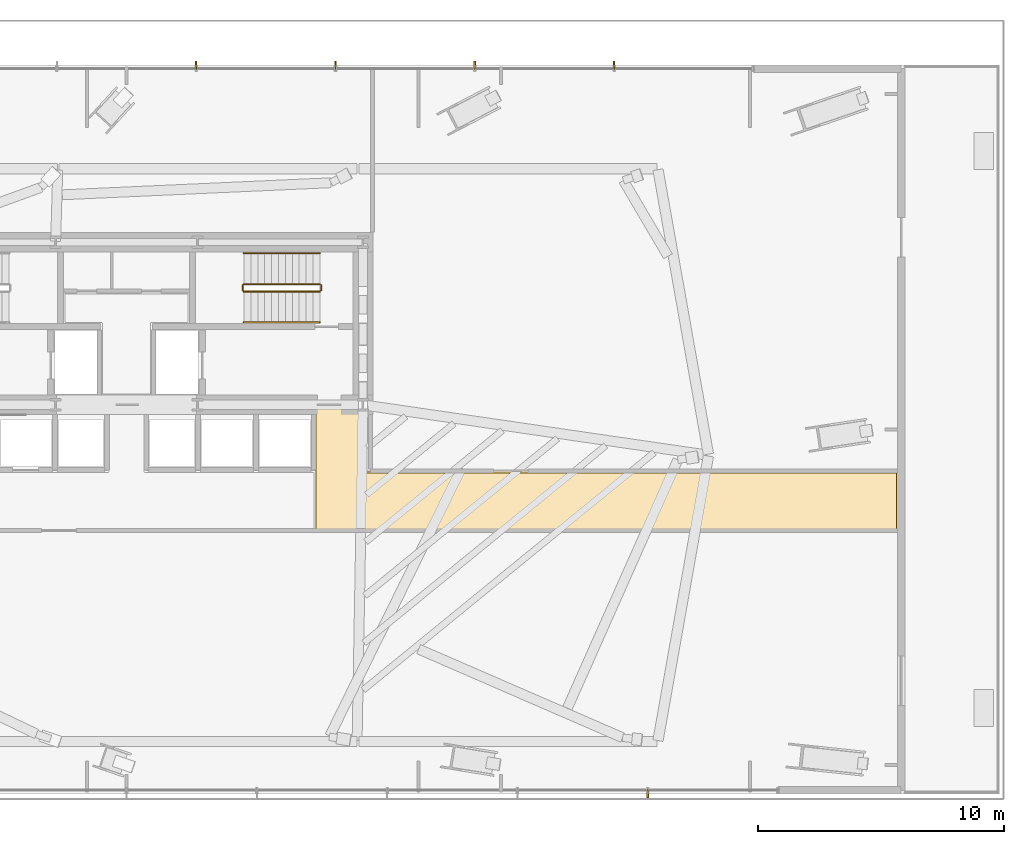
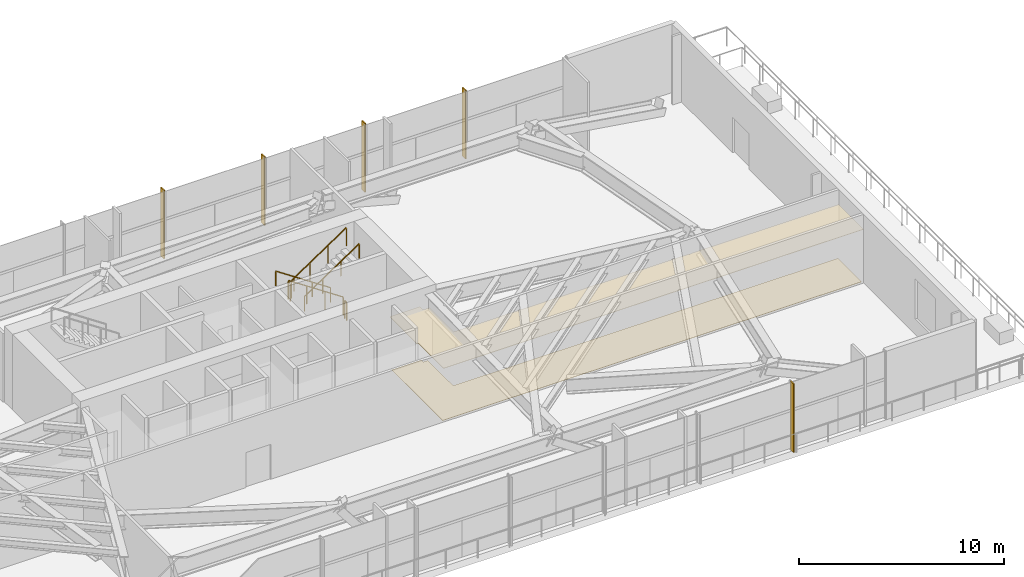
# One storey, part 27 of 29: 6 railings, 5 shading devices, 2 coverings.
"""IFC4 building model written with IfcOpenShell, lengths in metres."""

from ifc_helpers import new_model, si_unit, direction, frame, origin, origin_2d, place, context, subcontext, project, spatial, polyline, rectangle, outline, extrude, source, transform, mapped, material, layer, layer_set, type_object, type_shapes, element, save


model = new_model("IFC4")

# Units and contexts
model_context = context("Model", 3, precision=1e-05, world=origin(), true_north=direction((0.0, 1.0)))
body_context = subcontext(model_context, "Body", "Model", "MODEL_VIEW")
ifc_project = project(units=[si_unit("LENGTHUNIT", "METRE"), si_unit("AREAUNIT", "SQUARE_METRE"), si_unit("VOLUMEUNIT", "CUBIC_METRE"), si_unit("PLANEANGLEUNIT", "RADIAN"), si_unit("MASSUNIT", "GRAM", prefix="KILO")], contexts=[model_context])

# Site, building, storey
site_placement = place(None, origin())
site = spatial("IfcSite", under=ifc_project, at=site_placement, CompositionType="ELEMENT")
building_placement = place(site_placement, origin())
building = spatial("IfcBuilding", under=site, at=building_placement, Name="Astriad Promenade Condominiums", CompositionType="ELEMENT")
storey_placement = place(building_placement, frame((0.0, 0.0, 18.5)))
storey = spatial("IfcBuildingStorey", under=building, at=storey_placement, Name="L04", CompositionType="ELEMENT", Elevation=18.5)

# Coverings
ifc_material_1 = material(Name="Mineral-Fibre Acoustic Ceiling Tile")
ifc_layer_1 = layer(ifc_material_1, 0.02490234375)
ifc_layer_set_1 = layer_set([ifc_layer_1], Name="Mineral-Fibre Acoustic Ceiling Tile")
covering_type_1 = type_object("IfcCoveringType", Name="COV-CEIL-ACOUSTIC-25", PredefinedType="CEILING", material=ifc_layer_set_1)
covering_1_placement = place(storey_placement, frame((0.0, 0.0, 3.135009765625)))
element("IfcCovering", 1, at=covering_1_placement, inside=storey, type_object=covering_type_1, Name="CEIL-L04-COR-1", PredefinedType="CEILING", context=body_context, shape_type="SweptSolid", body=[
    extrude(outline(polyline([(43.6201171875, 17.35009765625), (43.6201171875, 17.352783203125), (43.62060546875, 17.35595703125), (43.621337890625, 17.358642578125), (43.622314453125, 17.361572265625), (43.62353515625, 17.364013671875), (43.625, 17.36669921875), (43.626708984375, 17.368896484375), (43.62890625, 17.37109375), (43.631103515625, 17.373291015625), (43.63330078125, 17.375), (43.635986328125, 17.37646484375), (43.638427734375, 17.377685546875), (43.641357421875, 17.378662109375), (43.64404296875, 17.37939453125), (43.647216796875, 17.3798828125), (43.64990234375, 17.3798828125), (45.31640625, 17.3798828125), (45.31640625, 17.077880859375), (45.679931640625, 17.077880859375), (45.679931640625, 14.7099609375), (58.89404296875, 14.7099609375), (58.89990234375, 14.671630859375), (59.150146484375, 14.7099609375), (67.300048828125, 14.7099609375), (67.302978515625, 14.7099609375), (67.305908203125, 14.70947265625), (67.30859375, 14.708740234375), (67.3115234375, 14.707763671875), (67.314208984375, 14.70654296875), (67.316650390625, 14.704833984375), (67.319091796875, 14.703125), (67.3212890625, 14.701171875), (67.3232421875, 14.698974609375), (67.324951171875, 14.69677734375), (67.326416015625, 14.694091796875), (67.32763671875, 14.69140625), (67.32861328125, 14.688720703125), (67.329345703125, 14.685791015625), (67.329833984375, 14.682861328125), (67.330078125, 14.679931640625), (67.330078125, 12.300048828125), (67.329833984375, 12.297119140625), (67.329345703125, 12.294189453125), (67.32861328125, 12.291259765625), (67.32763671875, 12.28857421875), (67.326416015625, 12.285888671875), (67.324951171875, 12.283203125), (67.3232421875, 12.281005859375), (67.3212890625, 12.27880859375), (67.319091796875, 12.27685546875), (67.316650390625, 12.275146484375), (67.314208984375, 12.2734375), (67.3115234375, 12.272216796875), (67.30859375, 12.271240234375), (67.305908203125, 12.2705078125), (67.302978515625, 12.27001953125), (67.300048828125, 12.27001953125), (43.68994140625, 12.27001953125), (43.69091796875, 12.271484375), (43.692138671875, 12.273193359375), (43.693603515625, 12.275634765625), (43.694580078125, 12.27734375), (43.69580078125, 12.280029296875), (43.696533203125, 12.28173828125), (43.697509765625, 12.28466796875), (43.697998046875, 12.286376953125), (43.69873046875, 12.289306640625), (43.69921875, 12.291259765625), (43.69970703125, 12.294189453125), (43.69970703125, 12.296142578125), (43.699951171875, 12.299072265625), (43.699951171875, 12.300048828125), (43.699951171875, 14.699951171875), (43.699951171875, 14.700927734375), (43.69970703125, 14.703857421875), (43.69970703125, 14.705810546875), (43.69921875, 14.708740234375), (43.69873046875, 14.710693359375), (43.697998046875, 14.713623046875), (43.697509765625, 14.71533203125), (43.696533203125, 14.71826171875), (43.69580078125, 14.719970703125), (43.694580078125, 14.72265625), (43.693603515625, 14.724365234375), (43.692138671875, 14.726806640625), (43.69091796875, 14.728515625), (43.689208984375, 14.73095703125), (43.68798828125, 14.732421875), (43.68603515625, 14.734619140625), (43.6845703125, 14.736083984375), (43.6826171875, 14.738037109375), (43.680908203125, 14.7392578125), (43.6787109375, 14.740966796875), (43.677001953125, 14.7421875), (43.67431640625, 14.74365234375), (43.672607421875, 14.744384765625), (43.669921875, 14.745849609375), (43.668212890625, 14.74658203125), (43.665283203125, 14.74755859375), (43.66357421875, 14.748046875), (43.66064453125, 14.748779296875), (43.65869140625, 14.749267578125), (43.656005859375, 14.74951171875), (43.65380859375, 14.749755859375), (43.65087890625, 14.75), (43.64990234375, 14.75), (43.6201171875, 14.75), (43.6201171875, 17.35009765625)])), origin(), (0.0, 0.0, 1.0), 0.02490234375),
])
ifc_material_2 = material(Name="Polished Lakefront Terrazzo Flooring")
ifc_layer_2 = layer(ifc_material_2, 0.02001953125)
ifc_layer_set_2 = layer_set([ifc_layer_2], Name="Polished Lakefront Terrazzo Flooring")
covering_type_2 = type_object("IfcCoveringType", Name="COV-FLOR-TERRAZZO-20", PredefinedType="FLOORING", material=ifc_layer_set_2)
covering_2_placement = place(storey_placement, origin())
element("IfcCovering", 2, at=covering_2_placement, inside=storey, type_object=covering_type_2, Name="FLR-L04-COR-1", PredefinedType="FLOORING", context=body_context, shape_type="SweptSolid", body=[
    extrude(outline(polyline([(43.68994140625, 12.340087890625), (43.68994140625, 17.31005859375), (45.3564453125, 17.31005859375), (45.3564453125, 17.117919921875), (45.610107421875, 17.117919921875), (45.610107421875, 14.679931640625), (45.610107421875, 14.676025390625), (45.61083984375, 14.672119140625), (45.61181640625, 14.66845703125), (45.613037109375, 14.664794921875), (45.61474609375, 14.6611328125), (45.61669921875, 14.65771484375), (45.619140625, 14.654541015625), (45.62158203125, 14.651611328125), (45.62451171875, 14.649169921875), (45.627685546875, 14.646728515625), (45.631103515625, 14.644775390625), (45.634765625, 14.64306640625), (45.638427734375, 14.6416015625), (45.64208984375, 14.640869140625), (45.64599609375, 14.64013671875), (45.64990234375, 14.639892578125), (67.260009765625, 14.639892578125), (67.260009765625, 12.340087890625), (43.68994140625, 12.340087890625)])), origin(), (0.0, 0.0, 1.0), 0.02001953125),
])

# Shading devices
ifc_material_3 = material(Name="Anodised aluminium 6063-T6 Black Fin", Category="aluminium")
shading_device_type = type_object("IfcShadingDeviceType", Name="FIN-BLACK-320", PredefinedType="USERDEFINED", material=ifc_material_3)
shared_shape_1 = source(origin(), body_context, "Body", "SweptSolid", [
    extrude(rectangle(XDim=0.06494140625, YDim=0.320068359375, at=origin_2d()), origin(), (0.0, 0.0, 1.0), 4.080078125),
])
type_shapes(shading_device_type, [shared_shape_1])
for number, where, z_axis, x_axis, name in (
    (3, (38.827880859375, 31.18994140625, 0.0), (0.0, 0.0, 1.0), (1.0, 0.0, 0.0), "CW-L04-N-FIN-05"),
    (4, (44.4833984375, 31.18994140625, 0.0), (0.0, 0.0, 1.0), (1.0, 0.0, 0.0), "CW-L04-N-FIN-06"),
    (5, (50.138916015625, 31.18994140625, 0.0), (0.0, 0.0, 1.0), (1.0, 0.0, 0.0), "CW-L04-N-FIN-07"),
    (6, (55.79443359375, 31.18994140625, 0.0), (0.0, 0.0, 1.0), (1.0, 0.0, 0.0), "CW-L04-N-FIN-08"),
    (7, (57.159912109375, 1.610107421875, 0.0), (0.0, 0.0, 1.0), (-1.0, 0.0, 0.0), "CW-L04-S-FIN-01"),
):
    element("IfcShadingDevice", number, at=place(storey_placement, frame(where, z_axis=z_axis, x_axis=x_axis)), inside=storey, type_object=shading_device_type, Name=name, ObjectType="FIN", PredefinedType="USERDEFINED", context=body_context, shape_type="MappedRepresentation", body=[
        mapped(shared_shape_1, transform((0.0, 0.0, 0.0), scale=1.0)),
    ])

# Railings
ifc_material_4 = material(Name="Painted Galvanised Steel Guardrail", Category="steel")
railing_type_1 = type_object("IfcRailingType", Name="GRD-STAIR-1100", PredefinedType="GUARDRAIL", material=ifc_material_4)
shared_shape_2 = source(origin(), body_context, "Body", "SweptSolid", [
    extrude(rectangle(XDim=0.048095703125, YDim=0.048095703125, at=origin_2d()), frame((0.0, 0.0, 1.076171875), z_axis=(0.830913701846, 0.0, 0.55640131208), x_axis=(0.0, 1.0, 0.0)), (0.0, 0.0, 1.0), 3.706787109375),
    extrude(rectangle(XDim=0.0419921875, YDim=0.0419921875, at=origin_2d()), origin(), (0.0, 0.0, 1.0), 1.052001953125),
    extrude(rectangle(XDim=0.0419921875, YDim=0.0419921875, at=origin_2d()), frame((1.026611328125, 0.0, 0.6875)), (0.0, 0.0, 1.0), 1.052001953125),
    extrude(rectangle(XDim=0.0419921875, YDim=0.0419921875, at=origin_2d()), frame((2.053466796875, 0.0, 1.375)), (0.0, 0.0, 1.0), 1.052001953125),
    extrude(rectangle(XDim=0.0419921875, YDim=0.0419921875, at=origin_2d()), frame((3.080078125, 0.0, 2.0625)), (0.0, 0.0, 1.0), 1.052001953125),
])
railing_1_placement = place(storey_placement, frame((40.77001953125, 22.0, 2.4375)))
element("IfcRailing", 8, at=railing_1_placement, inside=storey, type_object=railing_type_1, Name="L04 ST-2 stair guard 3", PredefinedType="GUARDRAIL", context=body_context, shape_type="MappedRepresentation", body=[
    mapped(shared_shape_2, transform((0.0, 0.0, 0.0), scale=1.0)),
])
shared_shape_3 = source(origin(), body_context, "Body", "SweptSolid", [
    extrude(rectangle(XDim=0.048095703125, YDim=0.048095703125, at=origin_2d()), frame((0.0, 0.0, 1.076171875), z_axis=(-0.830913701846, 0.0, 0.55640131208), x_axis=(0.0, -1.0, 0.0)), (0.0, 0.0, 1.0), 3.706787109375),
    extrude(rectangle(XDim=0.0419921875, YDim=0.0419921875, at=origin_2d()), origin(), (0.0, 0.0, 1.0), 1.052001953125),
    extrude(rectangle(XDim=0.0419921875, YDim=0.0419921875, at=origin_2d()), frame((-1.026611328125, 0.0, 0.6875)), (0.0, 0.0, 1.0), 1.052001953125),
    extrude(rectangle(XDim=0.0419921875, YDim=0.0419921875, at=origin_2d()), frame((-2.053466796875, 0.0, 1.375)), (0.0, 0.0, 1.0), 1.052001953125),
    extrude(rectangle(XDim=0.0419921875, YDim=0.0419921875, at=origin_2d()), frame((-3.080078125, 0.0, 2.0625)), (0.0, 0.0, 1.0), 1.052001953125),
])
railing_2_placement = place(storey_placement, frame((43.85009765625, 22.300048828125, 0.1875)))
element("IfcRailing", 9, at=railing_2_placement, inside=storey, type_object=railing_type_1, Name="L04 ST-2 stair guard 1", PredefinedType="GUARDRAIL", context=body_context, shape_type="MappedRepresentation", body=[
    mapped(shared_shape_3, transform((0.0, 0.0, 0.0), scale=1.0)),
])
ifc_material_5 = material(Name="Brushed Stainless Steel Handrail", Category="steel")
railing_type_2 = type_object("IfcRailingType", Name="HRL-STAIR-920", PredefinedType="HANDRAIL", material=ifc_material_5)
shared_shape_4 = source(origin(), body_context, "Body", "SweptSolid", [
    extrude(rectangle(XDim=0.048095703125, YDim=0.048095703125, at=origin_2d()), frame((0.0, 0.0, 0.8759765625), z_axis=(0.830913701846, 0.0, 0.55640131208), x_axis=(0.0, 1.0, 0.0)), (0.0, 0.0, 1.0), 3.706787109375),
    extrude(rectangle(XDim=0.0419921875, YDim=0.0419921875, at=origin_2d()), origin(), (0.0, 0.0, 1.0), 0.851806640625),
    extrude(rectangle(XDim=0.0419921875, YDim=0.0419921875, at=origin_2d()), frame((1.026611328125, 0.0, 0.6875)), (0.0, 0.0, 1.0), 0.851806640625),
    extrude(rectangle(XDim=0.0419921875, YDim=0.0419921875, at=origin_2d()), frame((2.053466796875, 0.0, 1.375)), (0.0, 0.0, 1.0), 0.851806640625),
    extrude(rectangle(XDim=0.0419921875, YDim=0.0419921875, at=origin_2d()), frame((3.080078125, 0.0, 2.0625)), (0.0, 0.0, 1.0), 0.851806640625),
])
railing_3_placement = place(storey_placement, frame((40.77001953125, 20.75, 2.4375)))
element("IfcRailing", 10, at=railing_3_placement, inside=storey, type_object=railing_type_2, Name="L04 ST-2 stair handrail 2", PredefinedType="HANDRAIL", context=body_context, shape_type="MappedRepresentation", body=[
    mapped(shared_shape_4, transform((0.0, 0.0, 0.0), scale=1.0)),
])
shared_shape_5 = source(origin(), body_context, "Body", "SweptSolid", [
    extrude(rectangle(XDim=0.048095703125, YDim=0.048095703125, at=origin_2d()), frame((0.0, 0.0, 0.8759765625), z_axis=(-0.830913701846, 0.0, 0.55640131208), x_axis=(0.0, -1.0, 0.0)), (0.0, 0.0, 1.0), 3.706787109375),
    extrude(rectangle(XDim=0.0419921875, YDim=0.0419921875, at=origin_2d()), origin(), (0.0, 0.0, 1.0), 0.851806640625),
    extrude(rectangle(XDim=0.0419921875, YDim=0.0419921875, at=origin_2d()), frame((-1.026611328125, 0.0, 0.6875)), (0.0, 0.0, 1.0), 0.851806640625),
    extrude(rectangle(XDim=0.0419921875, YDim=0.0419921875, at=origin_2d()), frame((-2.053466796875, 0.0, 1.375)), (0.0, 0.0, 1.0), 0.851806640625),
    extrude(rectangle(XDim=0.0419921875, YDim=0.0419921875, at=origin_2d()), frame((-3.080078125, 0.0, 2.0625)), (0.0, 0.0, 1.0), 0.851806640625),
])
type_shapes(railing_type_2, [shared_shape_4, shared_shape_5])
railing_4_placement = place(storey_placement, frame((43.85009765625, 23.550048828125, 0.1875)))
element("IfcRailing", 11, at=railing_4_placement, inside=storey, type_object=railing_type_2, Name="L04 ST-2 stair handrail 1", PredefinedType="HANDRAIL", context=body_context, shape_type="MappedRepresentation", body=[
    mapped(shared_shape_5, transform((0.0, 0.0, 0.0), scale=1.0)),
])
shared_shape_6 = source(origin(), body_context, "Body", "SweptSolid", [
    extrude(rectangle(XDim=0.048095703125, YDim=0.048095703125, at=origin_2d()), frame((0.0, 0.0, 1.076171875), z_axis=(0.0, -1.0, 0.0), x_axis=(1.0, 0.0, 0.0)), (0.0, 0.0, 1.0), 0.199951171875),
    extrude(rectangle(XDim=0.0419921875, YDim=0.0419921875, at=origin_2d()), origin(), (0.0, 0.0, 1.0), 1.052001953125),
    extrude(rectangle(XDim=0.0419921875, YDim=0.0419921875, at=origin_2d()), frame((0.0, -0.199951171875, 0.0)), (0.0, 0.0, 1.0), 1.052001953125),
])
type_shapes(railing_type_1, [shared_shape_2, shared_shape_3, shared_shape_6])
for number, where, name in (
    (12, (40.719970703125, 22.25, 2.25), "L04 ST-2 stair guard 2"),
    (13, (43.89990234375, 22.25, 0.0), "L04 ST-2 stair guard 4"),
):
    element("IfcRailing", number, at=place(storey_placement, frame(where)), inside=storey, type_object=railing_type_1, Name=name, PredefinedType="GUARDRAIL", context=body_context, shape_type="MappedRepresentation", body=[
        mapped(shared_shape_6, transform((0.0, 0.0, 0.0), scale=1.0)),
    ])

save(model, "model.ifc")
